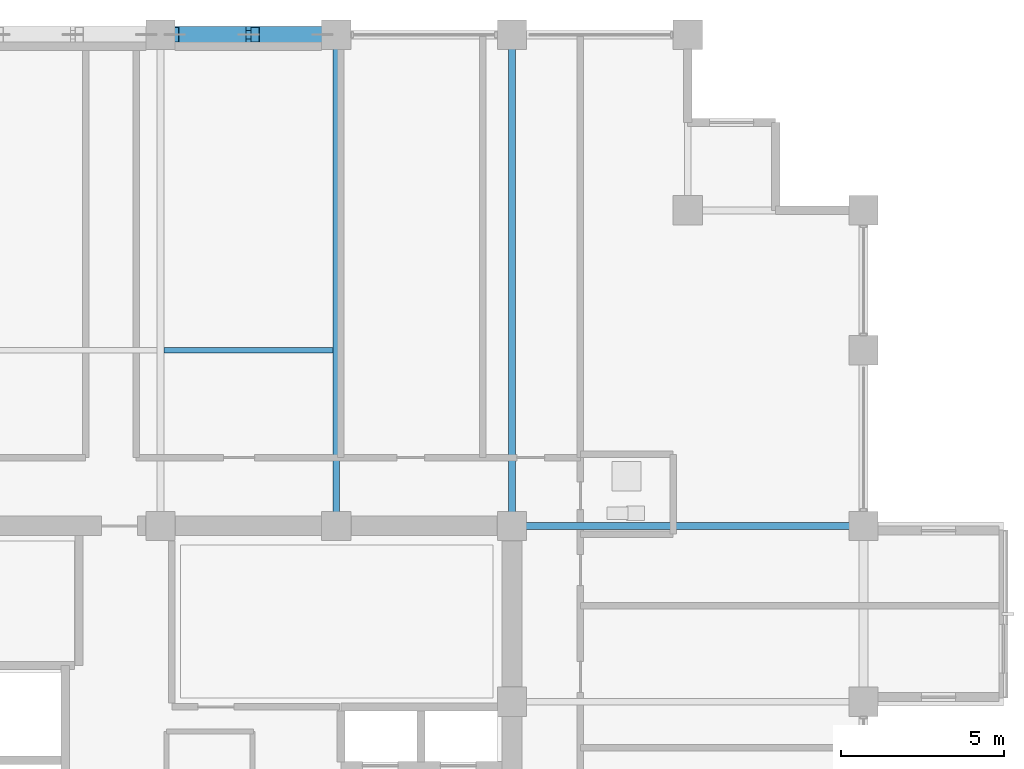
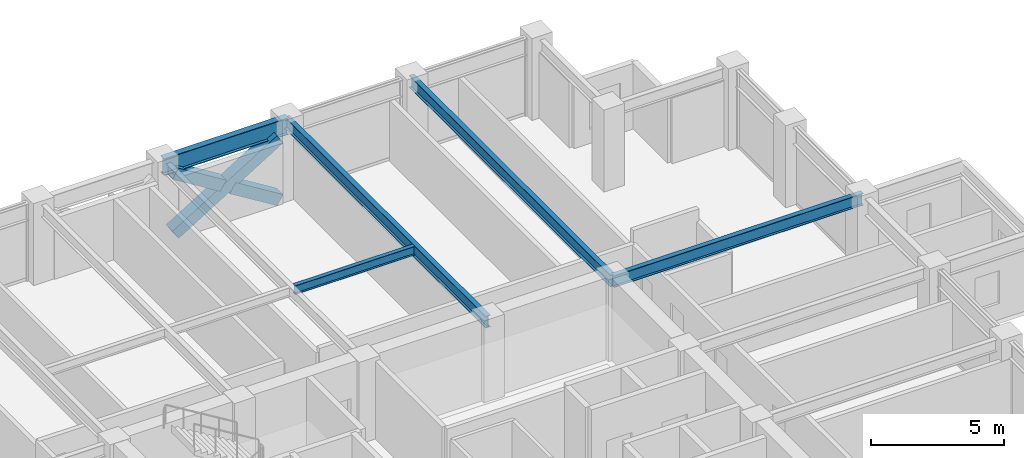
# One storey, part 18 of 28: 5 beams, 3 members.
"""IFC4 building model written with IfcOpenShell, lengths in metres."""

import ifcopenshell
import ifcopenshell.guid

model = None  # the IFC model being written
_history = None  # IfcOwnerHistory: only IFC2X3 demands one
_inside = {}  # id of a spatial element -> (the spatial element, [elements in it])
_under = {}  # id of a project, library or spatial element -> (it, [spatial elements below it])
_declared = {}  # id of a project -> (the project, [libraries it declares])
_typed = {}  # id of a type object -> (the type object, [elements of that type])
_made_of = {}  # id of a material, layer set ... -> (it, [elements and type objects made of it])


def new_model(schema):
    """Start an empty IFC model of exactly this schema.

    Asked for "IFC4X3", IfcOpenShell would pick the latest addendum, in which some entities
    have other attributes; the version numbers below select the first issue.
    IFC2X3 requires an IfcOwnerHistory on every rooted entity: one is made here for all.
    """
    global model, _history
    if schema == "IFC4X3":
        model = ifcopenshell.file(schema_version=(4, 3, 0, 0))
    else:
        model = ifcopenshell.file(schema=schema)
    _inside.clear()
    _under.clear()
    _declared.clear()
    _typed.clear()
    _made_of.clear()
    _history = None
    if model.schema == "IFC2X3":
        org = make("IfcOrganization", Name="unknown")
        user = make(
            "IfcPersonAndOrganization",
            ThePerson=make("IfcPerson", FamilyName="unknown"),
            TheOrganization=org,
        )
        app = make(
            "IfcApplication",
            ApplicationDeveloper=org,
            Version="unknown",
            ApplicationFullName="unknown",
            ApplicationIdentifier="unknown",
        )
        _history = make(
            "IfcOwnerHistory",
            OwningUser=user,
            OwningApplication=app,
            ChangeAction="ADDED",
            CreationDate=0,
        )
    return model


def make(cls, **values):
    """One entity of the class cls with the attributes given. An attribute that is None is left unset."""
    return model.create_entity(
        cls, **{name: value for name, value in values.items() if value is not None}
    )


def rooted(cls, **values):
    """An entity with a GlobalId (a new one), such as an element, a storey or a relation."""
    return make(cls, GlobalId=ifcopenshell.guid.new(), OwnerHistory=_history, **values)


def si_unit(unit_type, name, prefix=None):
    """IfcSIUnit, for example si_unit("LENGTHUNIT", "METRE", prefix="MILLI")."""
    return make("IfcSIUnit", UnitType=unit_type, Prefix=prefix, Name=name)


def assignment(units):
    """IfcUnitAssignment: the units of a project."""
    return None if units is None else make("IfcUnitAssignment", Units=units)


def point(xyz):
    """IfcCartesianPoint."""
    return None if xyz is None else make("IfcCartesianPoint", Coordinates=xyz)


def direction(xyz):
    """IfcDirection."""
    return None if xyz is None else make("IfcDirection", DirectionRatios=xyz)


def frame(location, z_axis=None, x_axis=None):
    """IfcAxis2Placement3D, a coordinate frame: its origin and axes. An axis left out is left unset."""
    return make(
        "IfcAxis2Placement3D",
        Location=point(location),
        Axis=direction(z_axis),
        RefDirection=direction(x_axis),
    )


def frame_2d(location, x_axis=None):
    """IfcAxis2Placement2D, a coordinate frame in the plane: its origin and x axis."""
    return make(
        "IfcAxis2Placement2D", Location=point(location), RefDirection=direction(x_axis)
    )


def origin():
    """The frame at (0, 0, 0) with its axes left unset."""
    return frame((0.0, 0.0, 0.0))


def origin_2d():
    """The frame at (0, 0) in the plane with its x axis left unset."""
    return frame_2d((0.0, 0.0))


def place(relative_to, where):
    """IfcLocalPlacement: puts the frame where relative to a parent placement (None: the world)."""
    return make(
        "IfcLocalPlacement", PlacementRelTo=relative_to, RelativePlacement=where
    )


def context(
    kind, dimensions, precision=None, world=None, true_north=None, identifier=None
):
    """IfcGeometricRepresentationContext, for example the 3D "Model" context."""
    return make(
        "IfcGeometricRepresentationContext",
        ContextIdentifier=identifier,
        ContextType=kind,
        CoordinateSpaceDimension=dimensions,
        Precision=precision,
        WorldCoordinateSystem=world,
        TrueNorth=true_north,
    )


def subcontext(parent, identifier, kind, view, scale=None):
    """IfcGeometricRepresentationSubContext, for example "Body" below "Model"."""
    return make(
        "IfcGeometricRepresentationSubContext",
        ContextIdentifier=identifier,
        ContextType=kind,
        ParentContext=parent,
        TargetScale=scale,
        TargetView=view,
    )


def project(units=None, contexts=None):
    """IfcProject with its units and contexts."""
    return rooted(
        "IfcProject",
        Name="project",
        RepresentationContexts=contexts,
        UnitsInContext=assignment(units),
    )


def spatial(cls, under=None, at=None, **own):
    """A site, building, storey or space (cls), placed at a placement, below another one or the project."""
    s = rooted(cls, ObjectPlacement=at, **own)
    if under is not None:
        _under.setdefault(under.id(), (under, []))[1].append(s)
    return s


def profile(cls, at=None, kind="AREA", **sizes):
    """A parametric profile (cls). Its sizes go by their IFC names, for example OverallWidth=200.0."""
    return make(cls, ProfileType=kind, Position=at, **sizes)


def hollow_rectangle(**sizes):
    """IfcRectangleHollowProfileDef."""
    return profile("IfcRectangleHollowProfileDef", **sizes)


def i_section(**sizes):
    """IfcIShapeProfileDef."""
    return profile("IfcIShapeProfileDef", **sizes)


def extrude(swept, where, along, depth):
    """IfcExtrudedAreaSolid: the profile swept, set in the frame where, extruded along a direction by depth."""
    return make(
        "IfcExtrudedAreaSolid",
        SweptArea=swept,
        Position=where,
        ExtrudedDirection=direction(along),
        Depth=depth,
    )


def shape(context_of_items, identifier, shape_type, items):
    """IfcShapeRepresentation: the items that make up one representation, for example the "Body"."""
    return make(
        "IfcShapeRepresentation",
        ContextOfItems=context_of_items,
        RepresentationIdentifier=identifier,
        RepresentationType=shape_type,
        Items=items,
    )


def material(Name=None, Category=None):
    """IfcMaterial."""
    return make("IfcMaterial", Name=Name, Category=Category)


def material_profile(
    of_material, cross_section, Name=None, Category=None, Priority=None
):
    """IfcMaterialProfile: a cross section and its material."""
    return make(
        "IfcMaterialProfile",
        Name=Name,
        Material=of_material,
        Profile=cross_section,
        Priority=Priority,
        Category=Category,
    )


def profile_set(profiles, Name=None, composite=None):
    """IfcMaterialProfileSet."""
    return make(
        "IfcMaterialProfileSet",
        Name=Name,
        MaterialProfiles=profiles,
        CompositeProfile=composite,
    )


def made_of(thing, what):
    """Note that an element or type object is made of a material, layer set ...; save() writes the relation."""
    if what is not None:
        _made_of.setdefault(what.id(), (what, []))[1].append(thing)
    return thing


def type_object(cls, material=None, **own):
    """A type object (cls), such as IfcWallType, which elements share."""
    return made_of(rooted(cls, **own), material)


def element(
    cls,
    number,
    at=None,
    inside=None,
    cuts=None,
    type_object=None,
    material=None,
    context=None,
    identifier="Body",
    shape_type=None,
    held_by="IfcProductDefinitionShape",
    body=None,
    shapes=None,
    **own,
):
    """One element of the class cls, such as IfcWall. Its Tag is "e" and its number.

    at: its placement. inside: the storey or other place that contains it. cuts: it is an
    opening in that element (IfcRelVoidsElement). A single representation is given by context,
    identifier, shape_type and body (its items); several are given by shapes. held_by: the class
    of the entity that holds the representations. save() writes the other relations.
    """
    e = rooted(cls, Tag="e%d" % number, ObjectPlacement=at, **own)
    if body is not None:
        shapes = [shape(context, identifier, shape_type, body)]
    if shapes is not None:
        e.Representation = make(held_by, Representations=shapes)
    if inside is not None:
        _inside.setdefault(inside.id(), (inside, []))[1].append(e)
    if cuts is not None:
        rooted(
            "IfcRelVoidsElement", RelatingBuildingElement=cuts, RelatedOpeningElement=e
        )
    if type_object is not None:
        _typed.setdefault(type_object.id(), (type_object, []))[1].append(e)
    return made_of(e, material)


def aggregate(whole, parts):
    """IfcRelAggregates: a whole, such as a stair, and the parts it consists of."""
    return rooted("IfcRelAggregates", RelatingObject=whole, RelatedObjects=parts)


def save(model, path):
    """Write the relations noted so far, then the file.

    IfcRelAggregates (storeys below a building ...), IfcRelContainedInSpatialStructure (elements
    in a storey), IfcRelDefinesByType, IfcRelAssociatesMaterial and IfcRelDeclares: one each for
    every whole, place, type object, material and project.
    """
    for whole, parts in _under.values():
        aggregate(whole, parts)
    for where, things in _inside.values():
        rooted(
            "IfcRelContainedInSpatialStructure",
            RelatedElements=things,
            RelatingStructure=where,
        )
    for kind, things in _typed.values():
        rooted("IfcRelDefinesByType", RelatedObjects=things, RelatingType=kind)
    for what, things in _made_of.values():
        rooted("IfcRelAssociatesMaterial", RelatedObjects=things, RelatingMaterial=what)
    for by, libraries in _declared.values():
        rooted("IfcRelDeclares", RelatingContext=by, RelatedDefinitions=libraries)
    model.write(path)


model = new_model("IFC4")

# Units and contexts
model_context = context("Model", 3, precision=1e-05, world=origin(), true_north=direction((0.0, 1.0)))
body_context = subcontext(model_context, "Body", "Model", "MODEL_VIEW")
ifc_project = project(units=[si_unit("LENGTHUNIT", "METRE"), si_unit("AREAUNIT", "SQUARE_METRE"), si_unit("VOLUMEUNIT", "CUBIC_METRE"), si_unit("PLANEANGLEUNIT", "RADIAN"), si_unit("MASSUNIT", "GRAM", prefix="KILO")], contexts=[model_context])

# Site, building, storey
site_placement = place(None, origin())
site = spatial("IfcSite", under=ifc_project, at=site_placement, CompositionType="ELEMENT")
building_placement = place(site_placement, origin())
building = spatial("IfcBuilding", under=site, at=building_placement, Name="Surkhivell Harbour Commons", CompositionType="ELEMENT")
storey_placement = place(building_placement, frame((0.0, 0.0, 174.75)))
storey = spatial("IfcBuildingStorey", under=building, at=storey_placement, Name="L45", CompositionType="ELEMENT", Elevation=174.75)

# Beams
ifc_material_1 = material(Name="Steel S355", Category="steel")
ifc_material_profile_1 = material_profile(ifc_material_1, i_section(OverallWidth=0.2119140625, OverallDepth=0.5439453125, WebThickness=0.0126953125, FlangeThickness=0.021240234375, at=origin_2d()), Name="UB533x210x122")
ifc_profile_set_1 = profile_set([ifc_material_profile_1], Name="Steel S355")
beam_type_1 = type_object("IfcBeamType", Name="BM-GRD-533A", PredefinedType="BEAM", material=ifc_profile_set_1)
beam_1_placement = place(storey_placement, frame((10.800048828125, 10.800048828125, 3.298095703125), z_axis=(1.0, 0.0, 0.0), x_axis=(0.0, 1.0, 0.0)))
element("IfcBeam", 1, at=beam_1_placement, inside=storey, type_object=beam_type_1, Name="L45 Cantilever Back-Span Girder (10.8,10.8)", PredefinedType="BEAM", context=body_context, shape_type="SweptSolid", body=[
    extrude(i_section(OverallWidth=0.2119140625, OverallDepth=0.5439453125, WebThickness=0.0126953125, FlangeThickness=0.021240234375, at=origin_2d()), origin(), (0.0, 0.0, 1.0), 10.800048828125),
])
for number, where, z_axis, x_axis, name in (
    (2, (5.39990234375, 10.800048828125, 3.298095703125), (0.0, 1.0, 0.0), (-1.0, 0.0, 0.0), "L45 Floor Girder (5.4,10.8)"),
    (3, (10.800048828125, 10.800048828125, 3.298095703125), (0.0, 1.0, 0.0), (-1.0, 0.0, 0.0), "L45 Floor Girder (10.8,10.8)"),
):
    element("IfcBeam", number, at=place(storey_placement, frame(where, z_axis=z_axis, x_axis=x_axis)), inside=storey, type_object=beam_type_1, Name=name, PredefinedType="BEAM", context=body_context, shape_type="SweptSolid", body=[
        extrude(i_section(OverallWidth=0.2119140625, OverallDepth=0.5439453125, WebThickness=0.0126953125, FlangeThickness=0.021240234375, at=origin_2d()), origin(), (0.0, 0.0, 1.0), 15.099853515625),
    ])
ifc_material_profile_2 = material_profile(ifc_material_1, i_section(OverallWidth=0.178955078125, OverallDepth=0.408935546875, WebThickness=0.0087890625, FlangeThickness=0.014404296875, at=origin_2d()), Name="UB406x178x67")
ifc_profile_set_2 = profile_set([ifc_material_profile_2], Name="Steel S355")
beam_type_2 = type_object("IfcBeamType", Name="BM-JST-406", PredefinedType="JOIST", material=ifc_profile_set_2)
beam_2_placement = place(storey_placement, frame((0.10400390625, 16.199951171875, 3.365478515625), z_axis=(1.0, 0.0, 0.0), x_axis=(0.0, 1.0, 0.0)))
element("IfcBeam", 4, at=beam_2_placement, inside=storey, type_object=beam_type_2, Name="L45 North Composite Joist (0.0)", PredefinedType="JOIST", context=body_context, shape_type="SweptSolid", body=[
    extrude(i_section(OverallWidth=0.178955078125, OverallDepth=0.408935546875, WebThickness=0.0087890625, FlangeThickness=0.014404296875, at=origin_2d()), origin(), (0.0, 0.0, 1.0), 5.19189453125),
])
ifc_material_profile_3 = material_profile(ifc_material_1, i_section(OverallWidth=0.26806640625, OverallDepth=0.77001953125, WebThickness=0.015625, FlangeThickness=0.025390625, at=origin_2d()), Name="UB762x267x197")
ifc_profile_set_3 = profile_set([ifc_material_profile_3], Name="Steel S355")
beam_type_3 = type_object("IfcBeamType", Name="BM-SPN-762", PredefinedType="SPANDREL", material=ifc_profile_set_3)
beam_3_placement = place(storey_placement, frame((0.0, 25.89990234375, 3.18505859375), z_axis=(1.0, 0.0, 0.0), x_axis=(0.0, 1.0, 0.0)))
element("IfcBeam", 5, at=beam_3_placement, inside=storey, type_object=beam_type_3, Name="L45 Tube Spandrel (-0.0,25.9)", PredefinedType="SPANDREL", context=body_context, shape_type="SweptSolid", body=[
    extrude(i_section(OverallWidth=0.26806640625, OverallDepth=0.77001953125, WebThickness=0.015625, FlangeThickness=0.025390625, at=origin_2d()), origin(), (0.0, 0.0, 1.0), 5.39990234375),
])

# Members
ifc_material_2 = material(Name="Steel S460", Category="steel")
ifc_material_profile_4 = material_profile(ifc_material_2, hollow_rectangle(XDim=0.5, YDim=0.5, WallThickness=0.02490234375, at=origin_2d()), Name="SHS500x500x25")
ifc_profile_set_4 = profile_set([ifc_material_profile_4], Name="Steel S460")
member_type = type_object("IfcMemberType", Name="MEM-BRC-SHS500", PredefinedType="BRACE", material=ifc_profile_set_4)
member_placement = place(storey_placement, frame((0.43505859375, 25.89990234375, 0.008056640625), z_axis=(0.850971032488, 0.0, 0.525212625387), x_axis=(0.0, 1.0, 0.0)))
element("IfcMember", 6, at=member_placement, inside=storey, type_object=member_type, Name="L45 Perimeter Mega-Brace MB- 04", PredefinedType="BRACE", context=body_context, shape_type="SweptSolid", body=[
    extrude(hollow_rectangle(XDim=0.5, YDim=0.5, WallThickness=0.02490234375, at=origin_2d()), origin(), (0.0, 0.0, 1.0), 5.323486328125),
])
for number, where, z_axis, x_axis, name in (
    (7, (4.965087890625, 25.89990234375, 0.008056640625), (-0.8510034189, 0.0, 0.525160147974), (0.0, -1.0, 0.0), "L45 Perimeter Mega-Brace MB- 05"),
    (8, (2.495849609375, 25.89990234375, 1.531982421875), (-0.850958361341, 0.0, 0.525233155146), (0.0, -1.0, 0.0), "L45 Perimeter Mega-Brace MB- 06"),
):
    element("IfcMember", number, at=place(storey_placement, frame(where, z_axis=z_axis, x_axis=x_axis)), inside=storey, type_object=member_type, Name=name, PredefinedType="BRACE", context=body_context, shape_type="SweptSolid", body=[
        extrude(hollow_rectangle(XDim=0.5, YDim=0.5, WallThickness=0.02490234375, at=origin_2d()), origin(), (0.0, 0.0, 1.0), 2.421630859375),
    ])

save(model, "model.ifc")
